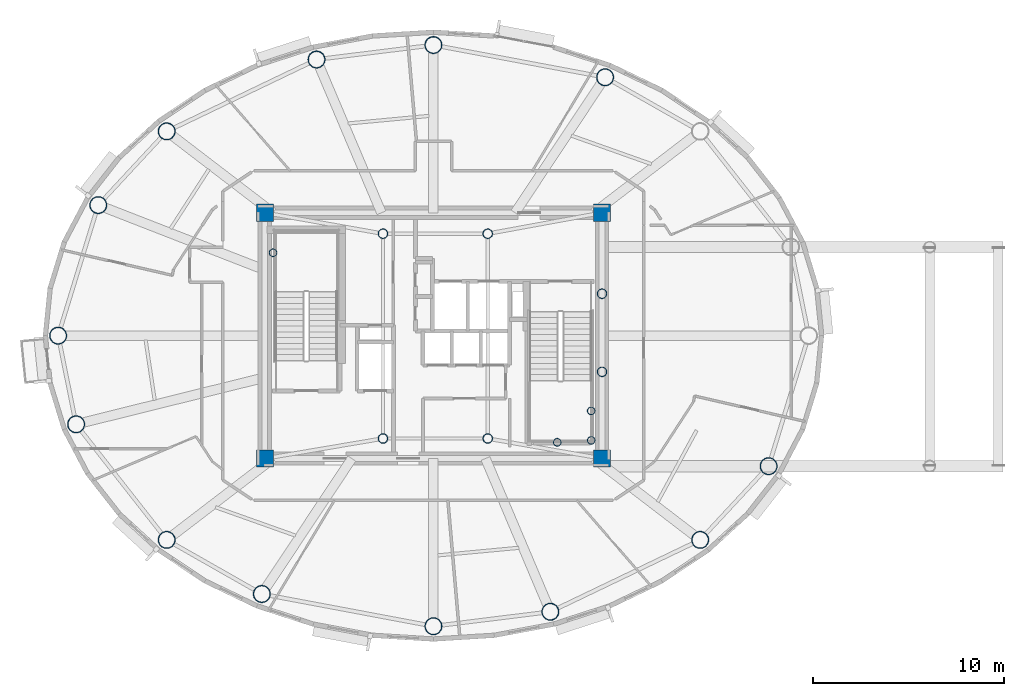
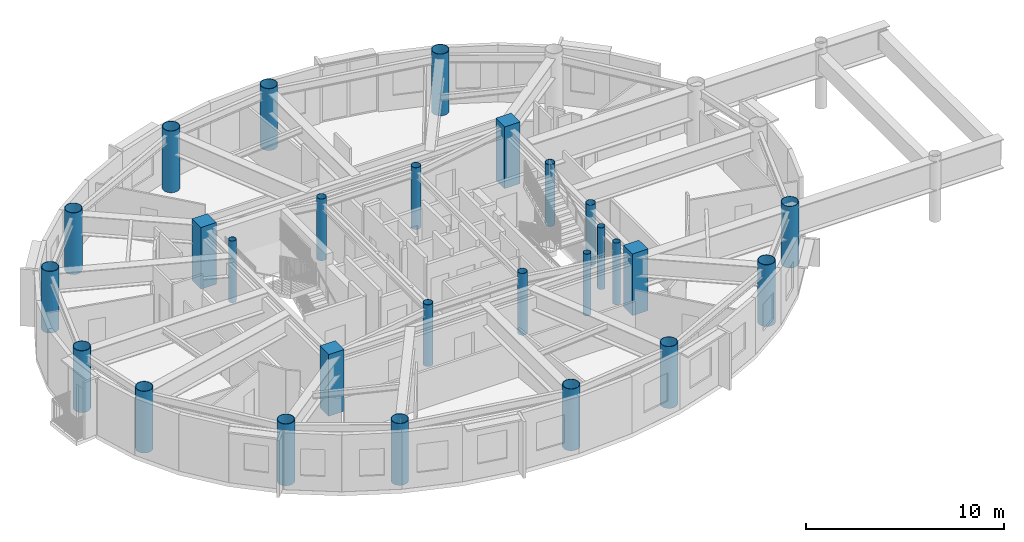
# One storey, part 1 of 16: 27 columns.
"""IFC4 building model written with IfcOpenShell, lengths in metres."""

from ifc_helpers import new_model, si_unit, direction, frame, origin, origin_2d, place, context, subcontext, project, spatial, rectangle, hollow_circle, extrude, material, material_profile, profile_set, type_object, element, save


model = new_model("IFC4")

# Units and contexts
model_context = context("Model", 3, precision=1e-05, world=origin(), true_north=direction((0.0, 1.0)))
body_context = subcontext(model_context, "Body", "Model", "MODEL_VIEW")
ifc_project = project(units=[si_unit("LENGTHUNIT", "METRE"), si_unit("AREAUNIT", "SQUARE_METRE"), si_unit("VOLUMEUNIT", "CUBIC_METRE"), si_unit("PLANEANGLEUNIT", "RADIAN"), si_unit("MASSUNIT", "GRAM", prefix="KILO")], contexts=[model_context])

# Site, building, storey
site_placement = place(None, origin())
site = spatial("IfcSite", under=ifc_project, at=site_placement, CompositionType="ELEMENT")
building_placement = place(site_placement, origin())
building = spatial("IfcBuilding", under=site, at=building_placement, Name="Linh Dai School and Residence Tower", CompositionType="ELEMENT")
storey_placement = place(building_placement, frame((0.0, 0.0, 343.0)))
storey = spatial("IfcBuildingStorey", under=building, at=storey_placement, Name="L85", CompositionType="ELEMENT", Elevation=343.0)

# Columns
ifc_material_1 = material(Name="Concrete B45 (C35/45)", Category="concrete")
ifc_material_profile_1 = material_profile(ifc_material_1, rectangle(XDim=0.89990234375, YDim=0.89990234375, at=origin_2d()), Name="RC 900x900")
ifc_profile_set_1 = profile_set([ifc_material_profile_1], Name="Concrete B45 (C35/45)")
column_type_1 = type_object("IfcColumnType", Name="COL-CC4", PredefinedType="COLUMN", material=ifc_profile_set_1)
for number, where, z_axis, x_axis, name in (
    (1, (27.14990234375, 20.550048828125, 0.0), (0.0, 0.0, 1.0), (1.0, 0.0, 0.0), "L85 Core Corner Pier CC1"),
    (2, (44.85009765625, 20.550048828125, 0.0), (0.0, 0.0, 1.0), (1.0, 0.0, 0.0), "L85 Core Corner Pier CC2"),
    (3, (44.85009765625, 33.449951171875, 0.0), (0.0, 0.0, 1.0), (1.0, 0.0, 0.0), "L85 Core Corner Pier CC3"),
    (4, (27.14990234375, 33.449951171875, 0.0), (0.0, 0.0, 1.0), (1.0, 0.0, 0.0), "L85 Core Corner Pier CC4"),
):
    element("IfcColumn", number, at=place(storey_placement, frame(where, z_axis=z_axis, x_axis=x_axis)), inside=storey, type_object=column_type_1, Name=name, PredefinedType="COLUMN", context=body_context, shape_type="SweptSolid", body=[
        extrude(rectangle(XDim=0.89990234375, YDim=0.89990234375, at=origin_2d()), origin(), (0.0, 0.0, 1.0), 3.800048828125),
    ])
ifc_material_2 = material(Name="Structural Steel S355JR", Category="steel")
ifc_material_profile_2 = material_profile(ifc_material_2, hollow_circle(Radius=0.203125, WallThickness=0.01611328125, at=origin_2d()), Name="CHS 406.4x16")
ifc_profile_set_2 = profile_set([ifc_material_profile_2], Name="Structural Steel S355JR")
column_type_2 = type_object("IfcColumnType", Name="COL-EC", PredefinedType="COLUMN", material=ifc_profile_set_2)
for number, where, z_axis, x_axis, name in (
    (5, (27.580078125, 31.35009765625, 0.0), (0.0, 0.0, 1.0), (1.0, 0.0, 0.0), "L85 Stair Shaft Landing Support Pier ST1NW"),
    (6, (44.280029296875, 21.5, 0.0), (0.0, 0.0, 1.0), (1.0, 0.0, 0.0), "L85 Stair Shaft Landing Support Pier ST2SE"),
    (7, (44.280029296875, 23.050048828125, 0.0), (0.0, 0.0, 1.0), (1.0, 0.0, 0.0), "L85 Stair Shaft Landing Support Pier ST2NE"),
    (8, (42.5, 21.39990234375, 0.0), (0.0, 0.0, 1.0), (1.0, 0.0, 0.0), "L85 Stair Shaft Landing Support Pier ST2MS"),
):
    element("IfcColumn", number, at=place(storey_placement, frame(where, z_axis=z_axis, x_axis=x_axis)), inside=storey, type_object=column_type_2, Name=name, PredefinedType="COLUMN", context=body_context, shape_type="SweptSolid", body=[
        extrude(hollow_circle(Radius=0.203125, WallThickness=0.01611328125, at=origin_2d()), origin(), (0.0, 0.0, 1.0), 3.800048828125),
    ])
ifc_material_profile_3 = material_profile(ifc_material_2, hollow_circle(Radius=0.449951171875, WallThickness=0.028076171875, at=origin_2d()), Name="CHS 900x28")
ifc_profile_set_3 = profile_set([ifc_material_profile_3], Name="Structural Steel S355JR")
column_type_3 = type_object("IfcColumnType", Name="COL-MC7", PredefinedType="COLUMN", material=ifc_profile_set_3)
for number, where, z_axis, x_axis, name in (
    (9, (45.01025390625, 40.56201171875, 0.0), (0.0, 0.0, 1.0), (1.0, 0.0, 0.0), "L85 Perimeter CFT Mega-Column MC04"),
    (10, (36.0, 42.2548828125, 0.0), (0.0, 0.0, 1.0), (1.0, 0.0, 0.0), "L85 Perimeter CFT Mega-Column MC05"),
    (11, (29.862548828125, 41.493896484375, 0.0), (0.0, 0.0, 1.0), (1.0, 0.0, 0.0), "L85 Perimeter CFT Mega-Column MC06"),
    (12, (21.99755859375, 37.72265625, 0.0), (0.0, 0.0, 1.0), (1.0, 0.0, 0.0), "L85 Perimeter CFT Mega-Column MC07"),
    (13, (18.405029296875, 33.8525390625, 0.0), (0.0, 0.0, 1.0), (1.0, 0.0, 0.0), "L85 Perimeter CFT Mega-Column MC08"),
    (14, (16.300048828125, 27.0, 0.0), (0.0, 0.0, 1.0), (1.0, 0.0, 0.0), "L85 Perimeter CFT Mega-Column MC09"),
    (15, (17.2421875, 22.34521484375, 0.0), (0.0, 0.0, 1.0), (1.0, 0.0, 0.0), "L85 Perimeter CFT Mega-Column MC10"),
    (16, (21.99755859375, 16.27734375, 0.0), (0.0, 0.0, 1.0), (1.0, 0.0, 0.0), "L85 Perimeter CFT Mega-Column MC11"),
    (17, (26.98974609375, 13.43798828125, 0.0), (0.0, 0.0, 1.0), (1.0, 0.0, 0.0), "L85 Perimeter CFT Mega-Column MC12"),
    (18, (36.0, 11.7451171875, 0.0), (0.0, 0.0, 1.0), (1.0, 0.0, 0.0), "L85 Perimeter CFT Mega-Column MC13"),
    (19, (42.137451171875, 12.506103515625, 0.0), (0.0, 0.0, 1.0), (1.0, 0.0, 0.0), "L85 Perimeter CFT Mega-Column MC14"),
    (20, (50.00244140625, 16.27734375, 0.0), (0.0, 0.0, 1.0), (1.0, 0.0, 0.0), "L85 Perimeter CFT Mega-Column MC15"),
    (21, (53.594970703125, 20.1474609375, 0.0), (0.0, 0.0, 1.0), (1.0, 0.0, 0.0), "L85 Perimeter CFT Mega-Column MC16"),
):
    element("IfcColumn", number, at=place(storey_placement, frame(where, z_axis=z_axis, x_axis=x_axis)), inside=storey, type_object=column_type_3, Name=name, PredefinedType="COLUMN", context=body_context, shape_type="SweptSolid", body=[
        extrude(hollow_circle(Radius=0.449951171875, WallThickness=0.028076171875, at=origin_2d()), origin(), (0.0, 0.0, 1.0), 3.800048828125),
    ])
ifc_material_profile_4 = material_profile(ifc_material_2, hollow_circle(Radius=0.25390625, WallThickness=0.02001953125, at=origin_2d()), Name="CHS 508x20")
ifc_profile_set_4 = profile_set([ifc_material_profile_4], Name="Structural Steel S355JR")
column_type_4 = type_object("IfcColumnType", Name="COL-MCP", PredefinedType="COLUMN", material=ifc_profile_set_4)
for number, where, z_axis, x_axis, name in (
    (22, (33.35009765625, 21.60009765625, 0.0), (0.0, 0.0, 1.0), (1.0, 0.0, 0.0), "L85 Core Mast Support Pier MCP1"),
    (23, (38.85009765625, 21.60009765625, 0.0), (0.0, 0.0, 1.0), (1.0, 0.0, 0.0), "L85 Core Mast Support Pier MCP2"),
    (24, (38.85009765625, 32.35009765625, 0.0), (0.0, 0.0, 1.0), (1.0, 0.0, 0.0), "L85 Core Mast Support Pier MCP3"),
    (25, (33.35009765625, 32.35009765625, 0.0), (0.0, 0.0, 1.0), (1.0, 0.0, 0.0), "L85 Core Mast Support Pier MCP4"),
    (26, (44.85009765625, 25.10009765625, 0.0), (0.0, 0.0, 1.0), (1.0, 0.0, 0.0), "L85 Sky-Lounge Core Anchor Pier S"),
    (27, (44.85009765625, 29.199951171875, 0.0), (0.0, 0.0, 1.0), (1.0, 0.0, 0.0), "L85 Sky-Lounge Core Anchor Pier N"),
):
    element("IfcColumn", number, at=place(storey_placement, frame(where, z_axis=z_axis, x_axis=x_axis)), inside=storey, type_object=column_type_4, Name=name, PredefinedType="COLUMN", context=body_context, shape_type="SweptSolid", body=[
        extrude(hollow_circle(Radius=0.25390625, WallThickness=0.02001953125, at=origin_2d()), origin(), (0.0, 0.0, 1.0), 3.800048828125),
    ])

save(model, "model.ifc")
